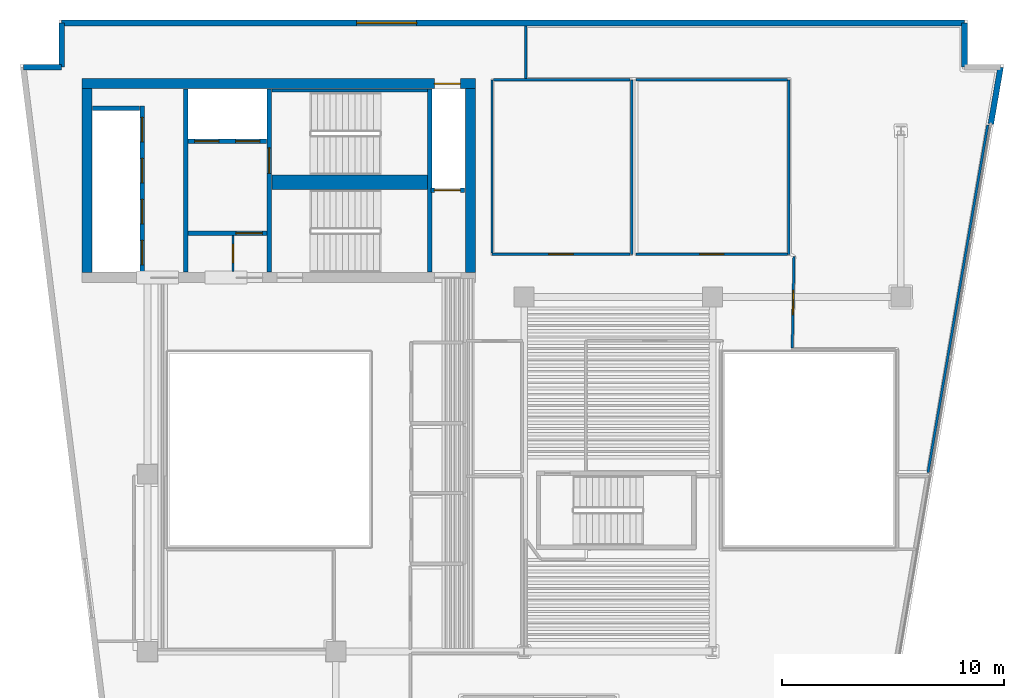
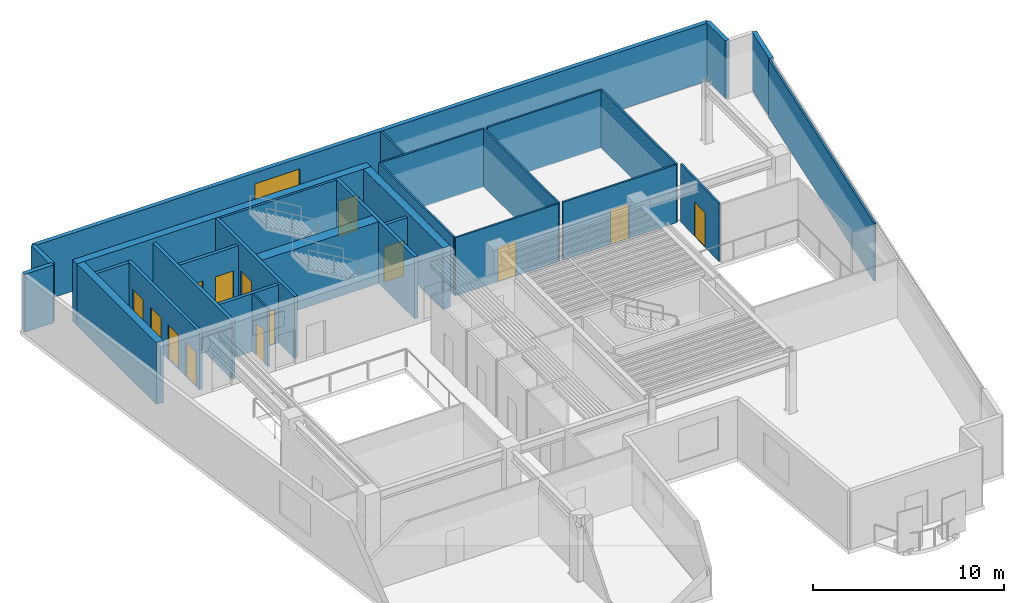
# One storey, part 5 of 10: 29 walls, 14 doors, 1 window, 15 openings.
"""IFC4 building model written with IfcOpenShell, lengths in metres."""

from ifc_helpers import new_model, si_unit, direction, frame, frame_2d, origin, place, context, subcontext, project, spatial, rectangle, extrude, material, layer, layer_set, type_object, element, fill, save


model = new_model("IFC4")

# Units and contexts
model_context = context("Model", 3, precision=1e-05, world=origin(), true_north=direction((0.0, 1.0)))
body_context = subcontext(model_context, "Body", "Model", "MODEL_VIEW")
ifc_project = project(units=[si_unit("LENGTHUNIT", "METRE"), si_unit("AREAUNIT", "SQUARE_METRE"), si_unit("VOLUMEUNIT", "CUBIC_METRE"), si_unit("PLANEANGLEUNIT", "RADIAN"), si_unit("MASSUNIT", "GRAM", prefix="KILO")], contexts=[model_context])

# Site, building, storey
site_placement = place(None, origin())
site = spatial("IfcSite", under=ifc_project, at=site_placement, CompositionType="ELEMENT")
building_placement = place(site_placement, origin())
building = spatial("IfcBuilding", under=site, at=building_placement, Name="Caeloran Harvest Quay", CompositionType="ELEMENT")
storey_placement = place(building_placement, frame((0.0, 0.0, 191.64990234375)))
storey = spatial("IfcBuildingStorey", under=building, at=storey_placement, Name="L45", CompositionType="ELEMENT", Elevation=191.64990234375)

# Walls
ifc_material_1 = material(Name="Precast concrete C50/60", Category="concrete")
ifc_layer_1 = layer(ifc_material_1, 0.260009765625, Name="Precast concrete C50/60")
ifc_layer_set_1 = layer_set([ifc_layer_1], Name="Precast concrete C50/60")
wall_type_1 = type_object("IfcWallType", Name="ENV-WALL-EW-260", PredefinedType="STANDARD", material=ifc_layer_set_1)
wall_1_placement = place(storey_placement, frame((2.89599609375, 41.3701171875, 0.0), z_axis=(0.0, 0.0, 1.0), x_axis=(1.0, 0.0, 0.0)))
element("IfcWall", 1, at=wall_1_placement, inside=storey, type_object=wall_type_1, Name="L45 Exterior Precast Concrete Facade Wall 4", PredefinedType="STANDARD", context=body_context, shape_type="SweptSolid", body=[
    extrude(rectangle(XDim=1.73388671875, YDim=0.260009765625, at=frame_2d((0.866943359375, 0.0))), origin(), (0.0, 0.0, 1.0), 3.7001953125),
])
wall_2_placement = place(storey_placement, frame((4.6298828125, 41.3701171875, 0.0), z_axis=(0.0, 0.0, 1.0), x_axis=(0.0, 1.0, 0.0)))
element("IfcWall", 2, at=wall_2_placement, inside=storey, type_object=wall_type_1, Name="L45 Exterior Precast Concrete Facade Wall 5", PredefinedType="STANDARD", context=body_context, shape_type="SweptSolid", body=[
    extrude(rectangle(XDim=2.0, YDim=0.260009765625, at=frame_2d((1.0, 0.0))), origin(), (0.0, 0.0, 1.0), 3.7001953125),
])

# Wall, opening, window
wall_3_placement = place(storey_placement, frame((4.6298828125, 43.3701171875, 0.0), z_axis=(0.0, 0.0, 1.0), x_axis=(1.0, 0.0, 0.0)))
wall_3 = element("IfcWall", 3, at=wall_3_placement, inside=storey, type_object=wall_type_1, Name="L45 Exterior Precast Concrete Facade Wall 6", PredefinedType="STANDARD", context=body_context, shape_type="SweptSolid", body=[
    extrude(rectangle(XDim=40.740234375, YDim=0.260009765625, at=frame_2d((20.3701171875, 0.0))), origin(), (0.0, 0.0, 1.0), 3.7001953125),
])
opening_1_placement = place(wall_3_placement, frame((13.31591796875, 0.0, 0.89990234375)))
opening_1 = element("IfcOpeningElement", 4, at=opening_1_placement, cuts=wall_3, Name="Opening W-07", PredefinedType="OPENING", context=body_context, shape_type="SweptSolid", body=[
    extrude(rectangle(XDim=2.699951171875, YDim=2.10009765625, at=frame_2d((1.35009765625, 1.050048828125))), frame((0.0, 0.14013671875, 0.0), z_axis=(0.0, -1.0, 0.0), x_axis=(1.0, 0.0, 0.0)), (0.0, 0.0, 1.0), 0.280029296875),
])
ifc_material_2 = material(Name="Aluminium-Framed Low-E Laminated Glass", Category="aluminium")
window_type = type_object("IfcWindowType", Name="WIN-W-07", PartitioningType="DOUBLE_PANEL_VERTICAL", PredefinedType="WINDOW", material=ifc_material_2)
window_placement = place(opening_1_placement, origin())
window = element("IfcWindow", 5, at=window_placement, inside=storey, type_object=window_type, Name="L45 Facade Punched Window W-07", OverallHeight=2.10009765625, OverallWidth=2.699951171875, PartitioningType="DOUBLE_PANEL_VERTICAL", PredefinedType="WINDOW", context=body_context, shape_type="SweptSolid", body=[
    extrude(rectangle(XDim=2.699951171875, YDim=2.10009765625, at=frame_2d((1.35009765625, 1.050048828125))), frame((0.0, 0.030029296875, 0.0), z_axis=(0.0, -1.0, 0.0), x_axis=(1.0, 0.0, 0.0)), (0.0, 0.0, 1.0), 0.06005859375),
])
fill(opening_1, window)

# Walls
wall_4_placement = place(storey_placement, frame((45.3701171875, 43.3701171875, 0.0), z_axis=(0.0, 0.0, 1.0), x_axis=(0.0, -1.0, 0.0)))
element("IfcWall", 6, at=wall_4_placement, inside=storey, type_object=wall_type_1, Name="L45 Exterior Precast Concrete Facade Wall 7", PredefinedType="STANDARD", context=body_context, shape_type="SweptSolid", body=[
    extrude(rectangle(XDim=2.0, YDim=0.260009765625, at=frame_2d((1.0, 0.0))), origin(), (0.0, 0.0, 1.0), 3.7001953125),
])
wall_5_placement = place(storey_placement, frame((47.001953125, 41.3701171875, 0.0), z_axis=(0.0, 0.0, 1.0), x_axis=(-0.169391215599, -0.98554889076, 0.0)))
element("IfcWall", 7, at=wall_5_placement, inside=storey, type_object=wall_type_1, Name="L45 Exterior Facade Corner Pier Wall 9A", PredefinedType="STANDARD", context=body_context, shape_type="SweptSolid", body=[
    extrude(rectangle(XDim=2.60009765625, YDim=0.260009765625, at=frame_2d((1.300048828125, 0.0))), origin(), (0.0, 0.0, 1.0), 3.7001953125),
])

# Wall, opening, door
ifc_material_3 = material(Name="Fire-Resisting Gypsum Core Riser Partition", Category="gypsum")
ifc_layer_2 = layer(ifc_material_3, 0.10009765625, Name="Fire-Resisting Gypsum Core Riser Partition")
ifc_layer_set_2 = layer_set([ifc_layer_2], Name="Fire-Resisting Gypsum Core Riser Partition")
wall_type_2 = type_object("IfcWallType", Name="INT-WALL-PW-100", PredefinedType="PARTITIONING", material=ifc_layer_set_2)
wall_6_placement = place(storey_placement, frame((12.360107421875, 32.159912109375, 0.0), z_axis=(0.0, 0.0, 1.0), x_axis=(0.0, 1.0, 0.0)))
wall_6 = element("IfcWall", 8, at=wall_6_placement, inside=storey, type_object=wall_type_2, Name="L45 Core Store Partition Wall", PredefinedType="PARTITIONING", context=body_context, shape_type="SweptSolid", body=[
    extrude(rectangle(XDim=1.6201171875, YDim=0.10009765625, at=frame_2d((0.81005859375, 0.0))), origin(), (0.0, 0.0, 1.0), 3.7001953125),
])
opening_2_placement = place(wall_6_placement, frame((0.3798828125, 0.0, 0.0)))
opening_2 = element("IfcOpeningElement", 9, at=opening_2_placement, cuts=wall_6, Name="Opening SV-01", PredefinedType="OPENING", context=body_context, shape_type="SweptSolid", body=[
    extrude(rectangle(XDim=0.85009765625, YDim=2.10009765625, at=frame_2d((0.425048828125, 1.050048828125))), frame((0.0, 0.06005859375, 0.0), z_axis=(0.0, -1.0, 0.0), x_axis=(1.0, 0.0, 0.0)), (0.0, 0.0, 1.0), 0.1201171875),
])
ifc_material_4 = material(Name="Galvanized Painted Steel", Category="steel")
door_type_1 = type_object("IfcDoorType", Name="INTDOOR-SV-01", OperationType="NOTDEFINED", PredefinedType="DOOR", material=ifc_material_4)
door_1_placement = place(opening_2_placement, origin())
door_1 = element("IfcDoor", 10, at=door_1_placement, inside=storey, type_object=door_type_1, Name="L45 Core Service Room Access Door", OperationType="SINGLE_SWING_RIGHT", OverallHeight=2.10009765625, OverallWidth=0.85009765625, PredefinedType="DOOR", context=body_context, shape_type="SweptSolid", body=[
    extrude(rectangle(XDim=0.85009765625, YDim=2.10009765625, at=frame_2d((0.425048828125, 1.050048828125))), frame((0.0, 0.02490234375, 0.0), z_axis=(0.0, -1.0, 0.0), x_axis=(1.0, 0.0, 0.0)), (0.0, 0.0, 1.0), 0.050048828125),
])
fill(opening_2, door_1)

# Wall
ifc_material_5 = material(Name="Single-Stud Acoustic Gypsum Office Partition", Category="gypsum")
ifc_layer_3 = layer(ifc_material_5, 0.112060546875, Name="Single-Stud Acoustic Gypsum Office Partition")
ifc_layer_set_3 = layer_set([ifc_layer_3], Name="Single-Stud Acoustic Gypsum Office Partition")
wall_type_3 = type_object("IfcWallType", Name="INT-WALL-PW-112", PredefinedType="PARTITIONING", material=ifc_layer_set_3)
wall_7_placement = place(storey_placement, frame((30.35009765625, 40.800048828125, 0.0), z_axis=(0.0, 0.0, 1.0), x_axis=(0.0, -1.0, 0.0)))
element("IfcWall", 11, at=wall_7_placement, inside=storey, type_object=wall_type_3, Name="L45 Bioinformatics and Crop Phenotyping Laboratory Partition Wall", PredefinedType="PARTITIONING", context=body_context, shape_type="SweptSolid", body=[
    extrude(rectangle(XDim=7.880126953125, YDim=0.112060546875, at=frame_2d((3.93994140625, 0.0))), origin(), (0.0, 0.0, 1.0), 3.7001953125),
])

# Wall, opening, door
wall_8_placement = place(storey_placement, frame((30.2890625, 32.919921875, 0.0), z_axis=(0.0, 0.0, 1.0), x_axis=(-1.0, 0.0, 0.0)))
wall_8 = element("IfcWall", 12, at=wall_8_placement, inside=storey, type_object=wall_type_3, Name="L45 Bioinformatics and Crop Phenotyping Laboratory Partition Wall", PredefinedType="PARTITIONING", context=body_context, shape_type="SweptSolid", body=[
    extrude(rectangle(XDim=6.239013671875, YDim=0.112060546875, at=frame_2d((3.11962890625, 0.0))), origin(), (0.0, 0.0, 1.0), 3.7001953125),
])
opening_3_placement = place(wall_8_placement, frame((2.569580078125, 0.0, 0.0)))
opening_3 = element("IfcOpeningElement", 13, at=opening_3_placement, cuts=wall_8, Name="Opening ID-04", PredefinedType="OPENING", context=body_context, shape_type="SweptSolid", body=[
    extrude(rectangle(XDim=1.10009765625, YDim=2.199951171875, at=frame_2d((0.550048828125, 1.10009765625))), frame((0.0, 0.06591796875, 0.0), z_axis=(0.0, -1.0, 0.0), x_axis=(1.0, 0.0, 0.0)), (0.0, 0.0, 1.0), 0.132080078125),
])
ifc_material_6 = material(Name="Acoustic Walnut Veneer Executive Door", Category="wood")
door_type_2 = type_object("IfcDoorType", Name="INTDOOR-ID-04", OperationType="NOTDEFINED", PredefinedType="DOOR", material=ifc_material_6)
door_2_placement = place(opening_3_placement, origin())
door_2 = element("IfcDoor", 14, at=door_2_placement, inside=storey, type_object=door_type_2, Name="L45 Bioinformatics and Crop Phenotyping Laboratory Access Door", OperationType="SINGLE_SWING_RIGHT", OverallHeight=2.199951171875, OverallWidth=1.10009765625, PredefinedType="DOOR", context=body_context, shape_type="SweptSolid", body=[
    extrude(rectangle(XDim=1.10009765625, YDim=2.199951171875, at=frame_2d((0.550048828125, 1.10009765625))), frame((0.0, 0.02490234375, 0.0), z_axis=(0.0, -1.0, 0.0), x_axis=(1.0, 0.0, 0.0)), (0.0, 0.0, 1.0), 0.050048828125),
])
fill(opening_3, door_2)

# Walls
wall_9_placement = place(storey_placement, frame((24.050048828125, 32.98095703125, 0.0), z_axis=(0.0, 0.0, 1.0), x_axis=(0.0, 1.0, 0.0)))
element("IfcWall", 15, at=wall_9_placement, inside=storey, type_object=wall_type_3, Name="L45 Bioinformatics and Crop Phenotyping Laboratory Partition Wall", PredefinedType="PARTITIONING", context=body_context, shape_type="SweptSolid", body=[
    extrude(rectangle(XDim=7.819091796875, YDim=0.112060546875, at=frame_2d((3.90966796875, 0.0))), origin(), (0.0, 0.0, 1.0), 3.7001953125),
])
wall_10_placement = place(storey_placement, frame((24.111083984375, 40.800048828125, 0.0), z_axis=(0.0, 0.0, 1.0), x_axis=(1.0, 0.0, 0.0)))
element("IfcWall", 16, at=wall_10_placement, inside=storey, type_object=wall_type_3, Name="L45 Bioinformatics and Crop Phenotyping Laboratory Partition Wall", PredefinedType="PARTITIONING", context=body_context, shape_type="SweptSolid", body=[
    extrude(rectangle(XDim=6.177978515625, YDim=0.112060546875, at=frame_2d((3.0888671875, 0.0))), origin(), (0.0, 0.0, 1.0), 3.7001953125),
])
wall_11_placement = place(storey_placement, frame((37.449951171875, 40.800048828125, 0.0), z_axis=(0.0, 0.0, 1.0), x_axis=(0.0, -1.0, 0.0)))
element("IfcWall", 17, at=wall_11_placement, inside=storey, type_object=wall_type_3, Name="L45 Agri-Genomics Executive Strategy Boardroom Partition Wall", PredefinedType="PARTITIONING", context=body_context, shape_type="SweptSolid", body=[
    extrude(rectangle(XDim=7.880126953125, YDim=0.112060546875, at=frame_2d((3.93994140625, 0.0))), origin(), (0.0, 0.0, 1.0), 3.7001953125),
])

# Wall, opening, door
wall_12_placement = place(storey_placement, frame((37.388916015625, 32.919921875, 0.0), z_axis=(0.0, 0.0, 1.0), x_axis=(-1.0, 0.0, 0.0)))
wall_12 = element("IfcWall", 18, at=wall_12_placement, inside=storey, type_object=wall_type_3, Name="L45 Agri-Genomics Executive Strategy Boardroom Partition Wall", PredefinedType="PARTITIONING", context=body_context, shape_type="SweptSolid", body=[
    extrude(rectangle(XDim=6.8388671875, YDim=0.112060546875, at=frame_2d((3.41943359375, 0.0))), origin(), (0.0, 0.0, 1.0), 3.7001953125),
])
opening_4_placement = place(wall_12_placement, frame((2.869384765625, 0.0, 0.0)))
opening_4 = element("IfcOpeningElement", 19, at=opening_4_placement, cuts=wall_12, Name="Opening ID-04", PredefinedType="OPENING", context=body_context, shape_type="SweptSolid", body=[
    extrude(rectangle(XDim=1.10009765625, YDim=2.199951171875, at=frame_2d((0.550048828125, 1.10009765625))), frame((0.0, 0.06591796875, 0.0), z_axis=(0.0, -1.0, 0.0), x_axis=(1.0, 0.0, 0.0)), (0.0, 0.0, 1.0), 0.132080078125),
])
door_3_placement = place(opening_4_placement, origin())
door_3 = element("IfcDoor", 20, at=door_3_placement, inside=storey, type_object=door_type_2, Name="L45 Agri-Genomics Executive Strategy Boardroom Access Door", OperationType="SINGLE_SWING_LEFT", OverallHeight=2.199951171875, OverallWidth=1.10009765625, PredefinedType="DOOR", context=body_context, shape_type="SweptSolid", body=[
    extrude(rectangle(XDim=1.10009765625, YDim=2.199951171875, at=frame_2d((0.550048828125, 1.10009765625))), frame((0.0, 0.02490234375, 0.0), z_axis=(0.0, -1.0, 0.0), x_axis=(1.0, 0.0, 0.0)), (0.0, 0.0, 1.0), 0.050048828125),
])
fill(opening_4, door_3)

# Walls
wall_13_placement = place(storey_placement, frame((30.550048828125, 40.800048828125, 0.0), z_axis=(0.0, 0.0, 1.0), x_axis=(1.0, 0.0, 0.0)))
element("IfcWall", 21, at=wall_13_placement, inside=storey, type_object=wall_type_3, Name="L45 Agri-Genomics Executive Strategy Boardroom Partition Wall", PredefinedType="PARTITIONING", context=body_context, shape_type="SweptSolid", body=[
    extrude(rectangle(XDim=6.8388671875, YDim=0.112060546875, at=frame_2d((3.41943359375, 0.0))), origin(), (0.0, 0.0, 1.0), 3.7001953125),
])
wall_14_placement = place(storey_placement, frame((46.422119140625, 38.7626953125, 0.0), z_axis=(0.0, 0.0, 1.0), x_axis=(-0.169427539839, -0.985542646842, 0.0)))
element("IfcWall", 22, at=wall_14_placement, inside=storey, type_object=wall_type_3, Name="Records Archive Laboratory Partition Wall", PredefinedType="PARTITIONING", context=body_context, shape_type="SweptSolid", body=[
    extrude(rectangle(XDim=15.91259765625, YDim=0.112060546875, at=frame_2d((7.956298828125, 0.0))), origin(), (0.0, 0.0, 1.0), 3.7001953125),
])

# Wall, opening, door
wall_15_placement = place(storey_placement, frame((37.59912109375, 28.69091796875, 0.0), z_axis=(0.0, 0.0, 1.0), x_axis=(0.019566997539, 0.999808547977, 0.0)))
wall_15 = element("IfcWall", 23, at=wall_15_placement, inside=storey, type_object=wall_type_3, Name="Records Archive Laboratory Partition Wall", PredefinedType="PARTITIONING", context=body_context, shape_type="SweptSolid", body=[
    extrude(rectangle(XDim=4.1298828125, YDim=0.112060546875, at=frame_2d((2.06494140625, 0.0))), origin(), (0.0, 0.0, 1.0), 3.7001953125),
])
opening_5_placement = place(wall_15_placement, frame((1.514892578125, 0.0, 0.0)))
opening_5 = element("IfcOpeningElement", 24, at=opening_5_placement, cuts=wall_15, Name="Opening ID-04", PredefinedType="OPENING", context=body_context, shape_type="SweptSolid", body=[
    extrude(rectangle(XDim=1.10009765625, YDim=2.199951171875, at=frame_2d((0.550048828125, 1.10009765625))), frame((0.0, 0.06591796875, 0.0), z_axis=(0.0, -1.0, 0.0), x_axis=(1.0, 0.0, 0.0)), (0.0, 0.0, 1.0), 0.132080078125),
])
door_4_placement = place(opening_5_placement, origin())
door_4 = element("IfcDoor", 25, at=door_4_placement, inside=storey, type_object=door_type_2, Name="Records Archive Laboratory Access Door", OperationType="SINGLE_SWING_RIGHT", OverallHeight=2.199951171875, OverallWidth=1.10009765625, PredefinedType="DOOR", context=body_context, shape_type="SweptSolid", body=[
    extrude(rectangle(XDim=1.10009765625, YDim=2.199951171875, at=frame_2d((0.550048828125, 1.10009765625))), frame((0.0, 0.02490234375, 0.0), z_axis=(0.0, -1.0, 0.0), x_axis=(1.0, 0.0, 0.0)), (0.0, 0.0, 1.0), 0.050048828125),
])
fill(opening_5, door_4)

# Wall
wall_16_placement = place(storey_placement, frame((25.580078125, 40.861083984375, 0.0), z_axis=(0.0, 0.0, 1.0), x_axis=(0.0, 1.0, 0.0)))
element("IfcWall", 26, at=wall_16_placement, inside=storey, type_object=wall_type_3, Name="Records Archive Laboratory Partition Wall", PredefinedType="PARTITIONING", context=body_context, shape_type="SweptSolid", body=[
    extrude(rectangle(XDim=2.3740234375, YDim=0.112060546875, at=frame_2d((1.18701171875, 0.0))), origin(), (0.0, 0.0, 1.0), 3.7001953125),
])

# Wall, openings, doors
ifc_material_7 = material(Name="Concrete C50/60", Category="concrete")
ifc_layer_4 = layer(ifc_material_7, 0.199951171875, Name="Concrete C50/60")
ifc_layer_set_4 = layer_set([ifc_layer_4], Name="Concrete C50/60")
wall_type_4 = type_object("IfcWallType", Name="INT-WALL-SW-200", PredefinedType="PARTITIONING", material=ifc_layer_set_4)
wall_17_placement = place(storey_placement, frame((8.260009765625, 32.1201171875, 0.0), z_axis=(0.0, 0.0, 1.0), x_axis=(0.0, 1.0, 0.0)))
wall_17 = element("IfcWall", 27, at=wall_17_placement, inside=storey, type_object=wall_type_4, Name="L45 Bank 3 Lift Shaft Wall", PredefinedType="PARTITIONING", context=body_context, shape_type="SweptSolid", body=[
    extrude(rectangle(XDim=7.5, YDim=0.199951171875, at=frame_2d((3.75, 0.0))), origin(), (0.0, 0.0, 1.0), 3.7001953125),
])
opening_6_placement = place(wall_17_placement, frame((0.330078125, 0.0, 0.0)))
opening_6 = element("IfcOpeningElement", 28, at=opening_6_placement, cuts=wall_17, Name="Opening LD-01", PredefinedType="OPENING", context=body_context, shape_type="SweptSolid", body=[
    extrude(rectangle(XDim=1.10009765625, YDim=2.199951171875, at=frame_2d((0.550048828125, 1.10009765625))), frame((0.0, 0.10986328125, 0.0), z_axis=(0.0, -1.0, 0.0), x_axis=(1.0, 0.0, 0.0)), (0.0, 0.0, 1.0), 0.219970703125),
])
opening_7_placement = place(wall_17_placement, frame((2.179931640625, 0.0, 0.0)))
opening_7 = element("IfcOpeningElement", 29, at=opening_7_placement, cuts=wall_17, Name="Opening LD-01", PredefinedType="OPENING", context=body_context, shape_type="SweptSolid", body=[
    extrude(rectangle(XDim=1.10009765625, YDim=2.199951171875, at=frame_2d((0.550048828125, 1.10009765625))), frame((0.0, 0.10986328125, 0.0), z_axis=(0.0, -1.0, 0.0), x_axis=(1.0, 0.0, 0.0)), (0.0, 0.0, 1.0), 0.219970703125),
])
opening_8_placement = place(wall_17_placement, frame((4.030029296875, 0.0, 0.0)))
opening_8 = element("IfcOpeningElement", 30, at=opening_8_placement, cuts=wall_17, Name="Opening LD-01", PredefinedType="OPENING", context=body_context, shape_type="SweptSolid", body=[
    extrude(rectangle(XDim=1.10009765625, YDim=2.199951171875, at=frame_2d((0.550048828125, 1.10009765625))), frame((0.0, 0.10986328125, 0.0), z_axis=(0.0, -1.0, 0.0), x_axis=(1.0, 0.0, 0.0)), (0.0, 0.0, 1.0), 0.219970703125),
])
opening_9_placement = place(wall_17_placement, frame((5.8798828125, 0.0, 0.0)))
opening_9 = element("IfcOpeningElement", 31, at=opening_9_placement, cuts=wall_17, Name="Opening LD-01", PredefinedType="OPENING", context=body_context, shape_type="SweptSolid", body=[
    extrude(rectangle(XDim=1.10009765625, YDim=2.199951171875, at=frame_2d((0.550048828125, 1.10009765625))), frame((0.0, 0.10986328125, 0.0), z_axis=(0.0, -1.0, 0.0), x_axis=(1.0, 0.0, 0.0)), (0.0, 0.0, 1.0), 0.219970703125),
])
ifc_material_8 = material(Name="Stainless Steel Grade 316", Category="steel")
door_type_3 = type_object("IfcDoorType", Name="INTDOOR-LD-01", OperationType="NOTDEFINED", PredefinedType="DOOR", material=ifc_material_8)
door_5_placement = place(opening_6_placement, origin())
door_5 = element("IfcDoor", 32, at=door_5_placement, inside=storey, type_object=door_type_3, Name="Lift P3-1 Sliding Landing Door (L45)", OperationType="DOUBLE_DOOR_SLIDING", OverallHeight=2.199951171875, OverallWidth=1.10009765625, PredefinedType="DOOR", context=body_context, shape_type="SweptSolid", body=[
    extrude(rectangle(XDim=1.10009765625, YDim=2.199951171875, at=frame_2d((0.550048828125, 1.10009765625))), frame((0.0, 0.02490234375, 0.0), z_axis=(0.0, -1.0, 0.0), x_axis=(1.0, 0.0, 0.0)), (0.0, 0.0, 1.0), 0.050048828125),
])
fill(opening_6, door_5)
door_6_placement = place(opening_7_placement, origin())
door_6 = element("IfcDoor", 33, at=door_6_placement, inside=storey, type_object=door_type_3, Name="Lift P3-2 Sliding Landing Door (L45)", OperationType="DOUBLE_DOOR_SLIDING", OverallHeight=2.199951171875, OverallWidth=1.10009765625, PredefinedType="DOOR", context=body_context, shape_type="SweptSolid", body=[
    extrude(rectangle(XDim=1.10009765625, YDim=2.199951171875, at=frame_2d((0.550048828125, 1.10009765625))), frame((0.0, 0.02490234375, 0.0), z_axis=(0.0, -1.0, 0.0), x_axis=(1.0, 0.0, 0.0)), (0.0, 0.0, 1.0), 0.050048828125),
])
fill(opening_7, door_6)
door_7_placement = place(opening_8_placement, origin())
door_7 = element("IfcDoor", 34, at=door_7_placement, inside=storey, type_object=door_type_3, Name="Lift P3-3 Sliding Landing Door (L45)", OperationType="DOUBLE_DOOR_SLIDING", OverallHeight=2.199951171875, OverallWidth=1.10009765625, PredefinedType="DOOR", context=body_context, shape_type="SweptSolid", body=[
    extrude(rectangle(XDim=1.10009765625, YDim=2.199951171875, at=frame_2d((0.550048828125, 1.10009765625))), frame((0.0, 0.02490234375, 0.0), z_axis=(0.0, -1.0, 0.0), x_axis=(1.0, 0.0, 0.0)), (0.0, 0.0, 1.0), 0.050048828125),
])
fill(opening_8, door_7)
door_8_placement = place(opening_9_placement, origin())
door_8 = element("IfcDoor", 35, at=door_8_placement, inside=storey, type_object=door_type_3, Name="Lift P3-4 Sliding Landing Door (L45)", OperationType="DOUBLE_DOOR_SLIDING", OverallHeight=2.199951171875, OverallWidth=1.10009765625, PredefinedType="DOOR", context=body_context, shape_type="SweptSolid", body=[
    extrude(rectangle(XDim=1.10009765625, YDim=2.199951171875, at=frame_2d((0.550048828125, 1.10009765625))), frame((0.0, 0.02490234375, 0.0), z_axis=(0.0, -1.0, 0.0), x_axis=(1.0, 0.0, 0.0)), (0.0, 0.0, 1.0), 0.050048828125),
])
fill(opening_9, door_8)

# Walls
wall_18_placement = place(storey_placement, frame((6.02001953125, 39.52001953125, 0.0), z_axis=(0.0, 0.0, 1.0), x_axis=(1.0, 0.0, 0.0)))
element("IfcWall", 36, at=wall_18_placement, inside=storey, type_object=wall_type_4, Name="L45 Bank 3 Lift Shaft North End Wall", PredefinedType="PARTITIONING", context=body_context, shape_type="SweptSolid", body=[
    extrude(rectangle(XDim=2.119873046875, YDim=0.199951171875, at=frame_2d((1.06005859375, 0.0))), origin(), (0.0, 0.0, 1.0), 3.7001953125),
])
wall_19_placement = place(storey_placement, frame((10.219970703125, 32.1201171875, 0.0), z_axis=(0.0, 0.0, 1.0), x_axis=(0.0, 1.0, 0.0)))
element("IfcWall", 37, at=wall_19_placement, inside=storey, type_object=wall_type_4, Name="L45 Core Lobby Compartment Wall", PredefinedType="PARTITIONING", context=body_context, shape_type="SweptSolid", body=[
    extrude(rectangle(XDim=8.259765625, YDim=0.199951171875, at=frame_2d((4.1298828125, 0.0))), origin(), (0.0, 0.0, 1.0), 3.7001953125),
])

# Wall, openings, doors
wall_20_placement = place(storey_placement, frame((10.340087890625, 38.02001953125, 0.0), z_axis=(0.0, 0.0, 1.0), x_axis=(1.0, 0.0, 0.0)))
wall_20 = element("IfcWall", 38, at=wall_20_placement, inside=storey, type_object=wall_type_4, Name="L45 Firefighting Lift Shaft Wall", PredefinedType="PARTITIONING", context=body_context, shape_type="SweptSolid", body=[
    extrude(rectangle(XDim=3.539794921875, YDim=0.199951171875, at=frame_2d((1.77001953125, 0.0))), origin(), (0.0, 0.0, 1.0), 3.7001953125),
])
opening_10_placement = place(wall_20_placement, frame((0.284912109375, 0.0, 0.0)))
opening_10 = element("IfcOpeningElement", 39, at=opening_10_placement, cuts=wall_20, Name="Opening LD-01", PredefinedType="OPENING", context=body_context, shape_type="SweptSolid", body=[
    extrude(rectangle(XDim=1.10009765625, YDim=2.199951171875, at=frame_2d((0.550048828125, 1.10009765625))), frame((0.0, 0.10986328125, 0.0), z_axis=(0.0, -1.0, 0.0), x_axis=(1.0, 0.0, 0.0)), (0.0, 0.0, 1.0), 0.219970703125),
])
opening_11_placement = place(wall_20_placement, frame((2.135009765625, 0.0, 0.0)))
opening_11 = element("IfcOpeningElement", 40, at=opening_11_placement, cuts=wall_20, Name="Opening LD-01", PredefinedType="OPENING", context=body_context, shape_type="SweptSolid", body=[
    extrude(rectangle(XDim=1.10009765625, YDim=2.199951171875, at=frame_2d((0.550048828125, 1.10009765625))), frame((0.0, 0.10986328125, 0.0), z_axis=(0.0, -1.0, 0.0), x_axis=(1.0, 0.0, 0.0)), (0.0, 0.0, 1.0), 0.219970703125),
])
door_9_placement = place(opening_10_placement, origin())
door_9 = element("IfcDoor", 41, at=door_9_placement, inside=storey, type_object=door_type_3, Name="Lift FF-1 Sliding Landing Door (L45)", OperationType="DOUBLE_DOOR_SLIDING", OverallHeight=2.199951171875, OverallWidth=1.10009765625, PredefinedType="DOOR", context=body_context, shape_type="SweptSolid", body=[
    extrude(rectangle(XDim=1.10009765625, YDim=2.199951171875, at=frame_2d((0.550048828125, 1.10009765625))), frame((0.0, 0.02490234375, 0.0), z_axis=(0.0, -1.0, 0.0), x_axis=(1.0, 0.0, 0.0)), (0.0, 0.0, 1.0), 0.050048828125),
])
fill(opening_10, door_9)
door_10_placement = place(opening_11_placement, origin())
door_10 = element("IfcDoor", 42, at=door_10_placement, inside=storey, type_object=door_type_3, Name="Lift FF-2 Sliding Landing Door (L45)", OperationType="DOUBLE_DOOR_SLIDING", OverallHeight=2.199951171875, OverallWidth=1.10009765625, PredefinedType="DOOR", context=body_context, shape_type="SweptSolid", body=[
    extrude(rectangle(XDim=1.10009765625, YDim=2.199951171875, at=frame_2d((0.550048828125, 1.10009765625))), frame((0.0, 0.02490234375, 0.0), z_axis=(0.0, -1.0, 0.0), x_axis=(1.0, 0.0, 0.0)), (0.0, 0.0, 1.0), 0.050048828125),
])
fill(opening_11, door_10)

# Wall, opening, door
wall_21_placement = place(storey_placement, frame((10.340087890625, 33.8798828125, 0.0), z_axis=(0.0, 0.0, 1.0), x_axis=(1.0, 0.0, 0.0)))
wall_21 = element("IfcWall", 43, at=wall_21_placement, inside=storey, type_object=wall_type_4, Name="L45 Firefighting Lift Lobby Enclosure Wall", PredefinedType="PARTITIONING", context=body_context, shape_type="SweptSolid", body=[
    extrude(rectangle(XDim=3.559814453125, YDim=0.199951171875, at=frame_2d((1.77978515625, 0.0))), origin(), (0.0, 0.0, 1.0), 3.7001953125),
])
opening_12_placement = place(wall_21_placement, frame((2.14990234375, 0.0, 0.0)))
opening_12 = element("IfcOpeningElement", 44, at=opening_12_placement, cuts=wall_21, Name="Opening FD-01", PredefinedType="OPENING", context=body_context, shape_type="SweptSolid", body=[
    extrude(rectangle(XDim=1.199951171875, YDim=2.199951171875, at=frame_2d((0.60009765625, 1.10009765625))), frame((0.0, 0.10986328125, 0.0), z_axis=(0.0, -1.0, 0.0), x_axis=(1.0, 0.0, 0.0)), (0.0, 0.0, 1.0), 0.219970703125),
])
ifc_material_9 = material(Name="Steel", Category="steel")
door_type_4 = type_object("IfcDoorType", Name="INTDOOR-FD-01", OperationType="NOTDEFINED", PredefinedType="DOOR", material=ifc_material_9)
door_11_placement = place(opening_12_placement, origin())
door_11 = element("IfcDoor", 45, at=door_11_placement, inside=storey, type_object=door_type_4, Name="L45 Firefighting Lift Lobby Smoke-Seal Fire Door", OperationType="SINGLE_SWING_RIGHT", OverallHeight=2.199951171875, OverallWidth=1.199951171875, PredefinedType="DOOR", context=body_context, shape_type="SweptSolid", body=[
    extrude(rectangle(XDim=1.199951171875, YDim=2.199951171875, at=frame_2d((0.60009765625, 1.10009765625))), frame((0.0, 0.02490234375, 0.0), z_axis=(0.0, -1.0, 0.0), x_axis=(1.0, 0.0, 0.0)), (0.0, 0.0, 1.0), 0.050048828125),
])
fill(opening_12, door_11)

wall_22_placement = place(storey_placement, frame((21.300048828125, 35.820068359375, 0.0), z_axis=(0.0, 0.0, 1.0), x_axis=(1.0, 0.0, 0.0)))
wall_22 = element("IfcWall", 46, at=wall_22_placement, inside=storey, type_object=wall_type_4, Name="L45 Service Lift SV-2 Shaft Wall", PredefinedType="PARTITIONING", context=body_context, shape_type="SweptSolid", body=[
    extrude(rectangle(XDim=1.5, YDim=0.199951171875, at=frame_2d((0.75, 0.0))), origin(), (0.0, 0.0, 1.0), 3.7001953125),
])
opening_13_placement = place(wall_22_placement, frame((0.14501953125, 0.0, 0.0)))
opening_13 = element("IfcOpeningElement", 47, at=opening_13_placement, cuts=wall_22, Name="Opening LD-02", PredefinedType="OPENING", context=body_context, shape_type="SweptSolid", body=[
    extrude(rectangle(XDim=1.179931640625, YDim=2.25, at=frame_2d((0.58984375, 1.125))), frame((0.0, 0.10986328125, 0.0), z_axis=(0.0, -1.0, 0.0), x_axis=(1.0, 0.0, 0.0)), (0.0, 0.0, 1.0), 0.219970703125),
])
door_type_5 = type_object("IfcDoorType", Name="INTDOOR-LD-02", OperationType="NOTDEFINED", PredefinedType="DOOR", material=ifc_material_8)
door_12_placement = place(opening_13_placement, origin())
door_12 = element("IfcDoor", 48, at=door_12_placement, inside=storey, type_object=door_type_5, Name="Lift SV-2 Sliding Landing Door (L45)", OperationType="DOUBLE_DOOR_SLIDING", OverallHeight=2.25, OverallWidth=1.179931640625, PredefinedType="DOOR", context=body_context, shape_type="SweptSolid", body=[
    extrude(rectangle(XDim=1.179931640625, YDim=2.25, at=frame_2d((0.58984375, 1.125))), frame((0.0, 0.02490234375, 0.0), z_axis=(0.0, -1.0, 0.0), x_axis=(1.0, 0.0, 0.0)), (0.0, 0.0, 1.0), 0.050048828125),
])
fill(opening_13, door_12)

ifc_material_10 = material(Name="Concrete C60/75", Category="concrete")
ifc_layer_5 = layer(ifc_material_10, 0.449951171875, Name="Concrete C60/75")
ifc_layer_set_5 = layer_set([ifc_layer_5], Name="Concrete C60/75")
wall_type_5 = type_object("IfcWallType", Name="STR-WALL-CW-450", PredefinedType="SHEAR", material=ifc_layer_set_5)
wall_23_placement = place(storey_placement, frame((5.550048828125, 40.625, 0.0), z_axis=(0.0, 0.0, 1.0), x_axis=(1.0, 0.0, 0.0)))
wall_23 = element("IfcWall", 49, at=wall_23_placement, inside=storey, type_object=wall_type_5, Name="L45 Rear Core Shear Wall N", PredefinedType="SHEAR", context=body_context, shape_type="SweptSolid", body=[
    extrude(rectangle(XDim=17.75, YDim=0.449951171875, at=frame_2d((8.875, 0.0))), origin(), (0.0, 0.0, 1.0), 3.9501953125),
])
opening_14_placement = place(wall_23_placement, frame((15.89501953125, 0.0, 0.0)))
opening_14 = element("IfcOpeningElement", 50, at=opening_14_placement, cuts=wall_23, Name="Opening LD-02", PredefinedType="OPENING", context=body_context, shape_type="SweptSolid", body=[
    extrude(rectangle(XDim=1.179931640625, YDim=2.25, at=frame_2d((0.58984375, 1.125))), frame((0.0, 0.23486328125, 0.0), z_axis=(0.0, -1.0, 0.0), x_axis=(1.0, 0.0, 0.0)), (0.0, 0.0, 1.0), 0.469970703125),
])
door_13_placement = place(opening_14_placement, origin())
door_13 = element("IfcDoor", 51, at=door_13_placement, inside=storey, type_object=door_type_5, Name="Lift SV-1 Sliding Landing Door (L45)", OperationType="DOUBLE_DOOR_SLIDING", OverallHeight=2.25, OverallWidth=1.179931640625, PredefinedType="DOOR", context=body_context, shape_type="SweptSolid", body=[
    extrude(rectangle(XDim=1.179931640625, YDim=2.25, at=frame_2d((0.58984375, 1.125))), frame((0.0, 0.02490234375, 0.0), z_axis=(0.0, -1.0, 0.0), x_axis=(1.0, 0.0, 0.0)), (0.0, 0.0, 1.0), 0.050048828125),
])
fill(opening_14, door_13)

# Walls
for number, where, z_axis, x_axis, name in (
    (52, (5.77490234375, 32.10009765625, 0.0), (0.0, 0.0, 1.0), (0.0, 1.0, 0.0), "L45 Rear Core Shear Wall W"),
    (53, (23.074951171875, 32.10009765625, 0.0), (0.0, 0.0, 1.0), (0.0, 1.0, 0.0), "L45 Rear Core Shear Wall E"),
):
    element("IfcWall", number, at=place(storey_placement, frame(where, z_axis=z_axis, x_axis=x_axis)), inside=storey, type_object=wall_type_5, Name=name, PredefinedType="SHEAR", context=body_context, shape_type="SweptSolid", body=[
        extrude(rectangle(XDim=8.2998046875, YDim=0.449951171875, at=frame_2d((4.14990234375, 0.0))), origin(), (0.0, 0.0, 1.0), 3.9501953125),
    ])
ifc_layer_6 = layer(ifc_material_10, 0.64990234375, Name="Concrete C60/75")
ifc_layer_set_6 = layer_set([ifc_layer_6], Name="Concrete C60/75")
wall_type_6 = type_object("IfcWallType", Name="STR-WALL-CW-650", PredefinedType="SHEAR", material=ifc_layer_set_6)
wall_24_placement = place(storey_placement, frame((14.1201171875, 36.175048828125, 0.0), z_axis=(0.0, 0.0, 1.0), x_axis=(1.0, 0.0, 0.0)))
element("IfcWall", 54, at=wall_24_placement, inside=storey, type_object=wall_type_6, Name="L45 Core Stairs Dividing Shear Wall", PredefinedType="SHEAR", context=body_context, shape_type="SweptSolid", body=[
    extrude(rectangle(XDim=7.009765625, YDim=0.64990234375, at=frame_2d((3.5048828125, 0.0))), origin(), (0.0, 0.0, 1.0), 3.9501953125),
])
ifc_layer_7 = layer(ifc_material_10, 0.139892578125, Name="Concrete C60/75")
ifc_layer_set_7 = layer_set([ifc_layer_7], Name="Concrete C60/75")
wall_type_7 = type_object("IfcWallType", Name="STR-WALL-SW-140", PredefinedType="SHEAR", material=ifc_layer_set_7)
wall_25_placement = place(storey_placement, frame((14.1201171875, 40.320068359375, 0.0), z_axis=(0.0, 0.0, 1.0), x_axis=(1.0, 0.0, 0.0)))
element("IfcWall", 55, at=wall_25_placement, inside=storey, type_object=wall_type_7, Name="L45 Core Stair ST-C1 North Bearing Shear Wall", PredefinedType="SHEAR", context=body_context, shape_type="SweptSolid", body=[
    extrude(rectangle(XDim=7.009765625, YDim=0.139892578125, at=frame_2d((3.5048828125, 0.0))), origin(), (0.0, 0.0, 1.0), 3.9501953125),
])

# Wall, opening, door
ifc_layer_8 = layer(ifc_material_10, 0.199951171875, Name="Concrete C60/75")
ifc_layer_set_8 = layer_set([ifc_layer_8], Name="Concrete C60/75")
wall_type_8 = type_object("IfcWallType", Name="STR-WALL-SW-200", PredefinedType="SHEAR", material=ifc_layer_set_8)
wall_26_placement = place(storey_placement, frame((14.0, 32.1201171875, 0.0), z_axis=(0.0, 0.0, 1.0), x_axis=(0.0, 1.0, 0.0)))
wall_26 = element("IfcWall", 56, at=wall_26_placement, inside=storey, type_object=wall_type_8, Name="L45 Core Stair Shaft West Shear Wall", PredefinedType="SHEAR", context=body_context, shape_type="SweptSolid", body=[
    extrude(rectangle(XDim=8.259765625, YDim=0.199951171875, at=frame_2d((4.1298828125, 0.0))), origin(), (0.0, 0.0, 1.0), 3.9501953125),
])
opening_15_placement = place(wall_26_placement, frame((4.4599609375, 0.0, 0.0)))
opening_15 = element("IfcOpeningElement", 57, at=opening_15_placement, cuts=wall_26, Name="Opening SD-01", PredefinedType="OPENING", context=body_context, shape_type="SweptSolid", body=[
    extrude(rectangle(XDim=1.14990234375, YDim=2.199951171875, at=frame_2d((0.574951171875, 1.10009765625))), frame((0.0, 0.10986328125, 0.0), z_axis=(0.0, -1.0, 0.0), x_axis=(1.0, 0.0, 0.0)), (0.0, 0.0, 1.0), 0.219970703125),
])
door_type_6 = type_object("IfcDoorType", Name="INTDOOR-SD-01", OperationType="NOTDEFINED", PredefinedType="DOOR", material=ifc_material_9)
door_14_placement = place(opening_15_placement, origin())
door_14 = element("IfcDoor", 58, at=door_14_placement, inside=storey, type_object=door_type_6, Name="L45 Protected Stair ST-C1 Exit Door", OperationType="SINGLE_SWING_LEFT", OverallHeight=2.199951171875, OverallWidth=1.14990234375, PredefinedType="DOOR", context=body_context, shape_type="SweptSolid", body=[
    extrude(rectangle(XDim=1.14990234375, YDim=2.199951171875, at=frame_2d((0.574951171875, 1.10009765625))), frame((0.0, 0.02490234375, 0.0), z_axis=(0.0, -1.0, 0.0), x_axis=(1.0, 0.0, 0.0)), (0.0, 0.0, 1.0), 0.050048828125),
])
fill(opening_15, door_14)

# Wall
wall_27_placement = place(storey_placement, frame((21.25, 32.1201171875, 0.0), z_axis=(0.0, 0.0, 1.0), x_axis=(0.0, 1.0, 0.0)))
element("IfcWall", 59, at=wall_27_placement, inside=storey, type_object=wall_type_8, Name="L45 Core Stair Shaft East Shear Wall", PredefinedType="SHEAR", context=body_context, shape_type="SweptSolid", body=[
    extrude(rectangle(XDim=8.259765625, YDim=0.199951171875, at=frame_2d((4.1298828125, 0.0))), origin(), (0.0, 0.0, 1.0), 3.9501953125),
])

save(model, "model.ifc")
